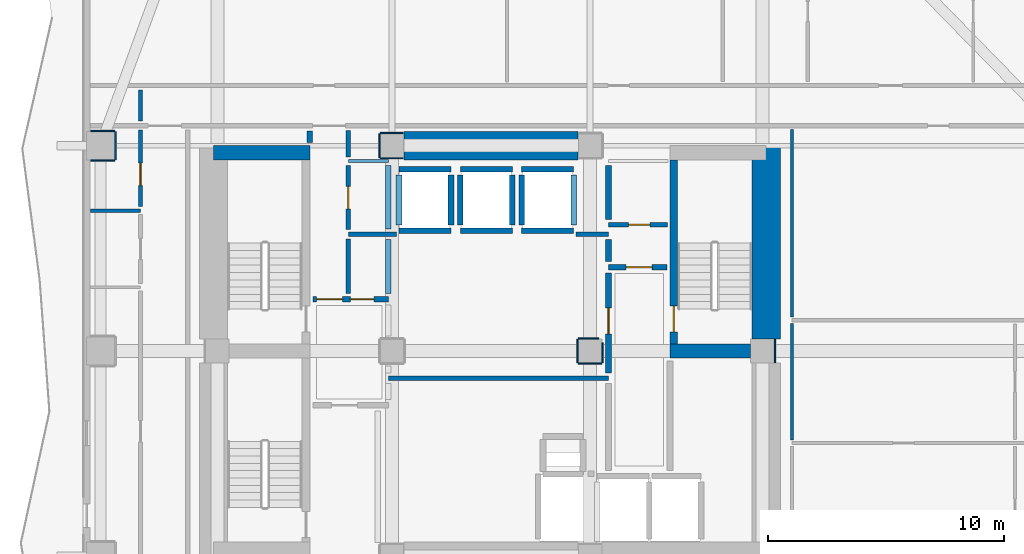
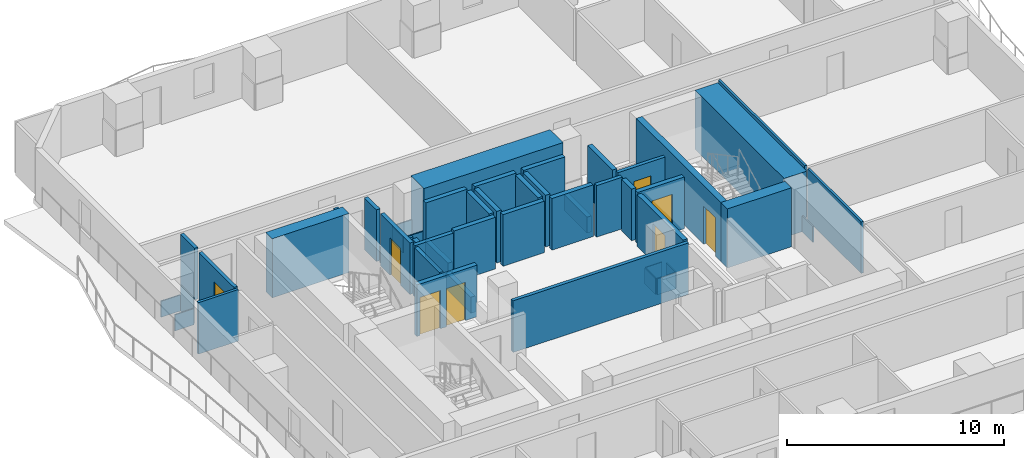
# One storey, part 4 of 10: 49 walls, 8 doors, 8 openings.
"""IFC4 building model written with IfcOpenShell, lengths in metres."""

from ifc_helpers import new_model, si_unit, direction, frame, frame_2d, origin, place, context, subcontext, project, spatial, rectangle, extrude, material, layer, layer_set, type_object, element, fill, save


model = new_model("IFC4")

# Units and contexts
model_context = context("Model", 3, precision=1e-05, world=origin(), true_north=direction((0.0, 1.0)))
body_context = subcontext(model_context, "Body", "Model", "MODEL_VIEW")
ifc_project = project(units=[si_unit("LENGTHUNIT", "METRE"), si_unit("AREAUNIT", "SQUARE_METRE"), si_unit("VOLUMEUNIT", "CUBIC_METRE"), si_unit("PLANEANGLEUNIT", "RADIAN"), si_unit("MASSUNIT", "GRAM", prefix="KILO")], contexts=[model_context])

# Site, building, storey
site_placement = place(None, origin())
site = spatial("IfcSite", under=ifc_project, at=site_placement, CompositionType="ELEMENT")
building_placement = place(site_placement, origin())
building = spatial("IfcBuilding", under=site, at=building_placement, Name="Solanera Arch Residences", CompositionType="ELEMENT")
storey_placement = place(building_placement, frame((0.0, 0.0, 78.43994140625)))
storey = spatial("IfcBuildingStorey", under=building, at=storey_placement, Name="L22", CompositionType="ELEMENT", Elevation=78.43994140625)

# Walls
ifc_material_1 = material(Name="Fire-Rated Gypsum Stud Partition", Category="gypsum")
ifc_layer_1 = layer(ifc_material_1, 0.06005859375)
ifc_layer_set_1 = layer_set([ifc_layer_1], Name="Fire-Rated Gypsum Stud Partition")
wall_type_1 = type_object("IfcWallType", Name="Column Acoustic Furring Wall 60", PredefinedType="PARTITIONING", material=ifc_layer_set_1)
for number, where, z_axis, x_axis, name in (
    (1, (20.300048828125, 38.867919921875, 0.0), (0.0, 0.0, 1.0), (1.0, 0.0, 0.0), "L22 Column Furring 3S"),
    (2, (20.300048828125, 39.931884765625, 0.0), (0.0, 0.0, 1.0), (1.0, 0.0, 0.0), "L22 Column Furring 3N"),
):
    element("IfcWall", number, at=place(storey_placement, frame(where, z_axis=z_axis, x_axis=x_axis)), inside=storey, type_object=wall_type_1, Name=name, PredefinedType="PARTITIONING", context=body_context, shape_type="SweptSolid", body=[
        extrude(rectangle(XDim=0.989990234375, YDim=0.06005859375, at=frame_2d((0.4951171875, 0.0))), origin(), (0.0, 0.0, 1.0), 0.905029296875),
    ])
wall_1_placement = place(storey_placement, frame((20.26806640625, 38.89990234375, 0.0), z_axis=(0.0, 0.0, 1.0), x_axis=(0.0, 1.0, 0.0)))
element("IfcWall", 3, at=wall_1_placement, inside=storey, type_object=wall_type_1, Name="L22 Column Furring 3W", PredefinedType="PARTITIONING", context=body_context, shape_type="SweptSolid", body=[
    extrude(rectangle(XDim=1.0, YDim=0.06005859375, at=frame_2d((0.5, 0.0))), origin(), (0.0, 0.0, 1.0), 0.905029296875),
])
wall_2_placement = place(storey_placement, frame((37.031982421875, 30.2099609375, 0.0), z_axis=(0.0, 0.0, 1.0), x_axis=(0.0, 1.0, 0.0)))
element("IfcWall", 4, at=wall_2_placement, inside=storey, type_object=wall_type_1, Name="L22 Column Furring 6E", PredefinedType="PARTITIONING", context=body_context, shape_type="SweptSolid", body=[
    extrude(rectangle(XDim=0.97998046875, YDim=0.06005859375, at=frame_2d((0.489990234375, 0.0))), origin(), (0.0, 0.0, 1.0), 0.905029296875),
])
wall_3_placement = place(storey_placement, frame((28.699951171875, 30.16796875, 0.0), z_axis=(0.0, 0.0, 1.0), x_axis=(1.0, 0.0, 0.0)))
element("IfcWall", 5, at=wall_3_placement, inside=storey, type_object=wall_type_1, Name="L22 Column Furring 8S", PredefinedType="PARTITIONING", context=body_context, shape_type="SweptSolid", body=[
    extrude(rectangle(XDim=1.0, YDim=0.06005859375, at=frame_2d((0.5, 0.0))), origin(), (0.0, 0.0, 1.0), 0.905029296875),
])
wall_4_placement = place(storey_placement, frame((28.699951171875, 31.23193359375, 0.0), z_axis=(0.0, 0.0, 1.0), x_axis=(1.0, 0.0, 0.0)))
element("IfcWall", 6, at=wall_4_placement, inside=storey, type_object=wall_type_1, Name="L22 Column Furring 8N", PredefinedType="PARTITIONING", context=body_context, shape_type="SweptSolid", body=[
    extrude(rectangle(XDim=0.87109375, YDim=0.06005859375, at=frame_2d((0.435546875, 0.0))), origin(), (0.0, 0.0, 1.0), 0.905029296875),
])
wall_5_placement = place(storey_placement, frame((28.66796875, 30.199951171875, 0.0), z_axis=(0.0, 0.0, 1.0), x_axis=(0.0, 1.0, 0.0)))
element("IfcWall", 7, at=wall_5_placement, inside=storey, type_object=wall_type_1, Name="L22 Column Furring 8W", PredefinedType="PARTITIONING", context=body_context, shape_type="SweptSolid", body=[
    extrude(rectangle(XDim=1.0, YDim=0.06005859375, at=frame_2d((0.5, 0.0))), origin(), (0.0, 0.0, 1.0), 0.905029296875),
])
wall_6_placement = place(storey_placement, frame((29.73193359375, 30.199951171875, 0.0), z_axis=(0.0, 0.0, 1.0), x_axis=(0.0, 1.0, 0.0)))
element("IfcWall", 8, at=wall_6_placement, inside=storey, type_object=wall_type_1, Name="L22 Column Furring 8E", PredefinedType="PARTITIONING", context=body_context, shape_type="SweptSolid", body=[
    extrude(rectangle(XDim=0.85205078125, YDim=0.06005859375, at=frame_2d((0.426025390625, 0.0))), origin(), (0.0, 0.0, 1.0), 0.905029296875),
])
for number, where, z_axis, x_axis, name in (
    (9, (8.030029296875, 38.76806640625, 0.0), (0.0, 0.0, 1.0), (1.0, 0.0, 0.0), "L22 Column Furring 21S"),
    (10, (8.030029296875, 40.031982421875, 0.0), (0.0, 0.0, 1.0), (1.0, 0.0, 0.0), "L22 Column Furring 21N"),
):
    element("IfcWall", number, at=place(storey_placement, frame(where, z_axis=z_axis, x_axis=x_axis)), inside=storey, type_object=wall_type_1, Name=name, PredefinedType="PARTITIONING", context=body_context, shape_type="SweptSolid", body=[
        extrude(rectangle(XDim=1.02001953125, YDim=0.06005859375, at=frame_2d((0.510009765625, 0.0))), origin(), (0.0, 0.0, 1.0), 0.905029296875),
    ])
wall_7_placement = place(storey_placement, frame((9.08203125, 38.800048828125, 0.0), z_axis=(0.0, 0.0, 1.0), x_axis=(0.0, 1.0, 0.0)))
element("IfcWall", 11, at=wall_7_placement, inside=storey, type_object=wall_type_1, Name="L22 Column Furring 21E", PredefinedType="PARTITIONING", context=body_context, shape_type="SweptSolid", body=[
    extrude(rectangle(XDim=1.199951171875, YDim=0.06005859375, at=frame_2d((0.60009765625, 0.0))), origin(), (0.0, 0.0, 1.0), 1.449951171875),
])
ifc_material_2 = material(Name="Concrete C55/67 (f'c = 60 MPa)", Category="concrete")
ifc_layer_2 = layer(ifc_material_2, 1.199951171875)
ifc_layer_set_2 = layer_set([ifc_layer_2], Name="Concrete C55/67 (f'c = 60 MPa)")
wall_type_2 = type_object("IfcWallType", Name="Core Shear Wall CW-1200", PredefinedType="SHEAR", material=ifc_layer_set_2)
wall_8_placement = place(storey_placement, frame((36.659912109375, 31.205078125, 0.0), z_axis=(0.0, 0.0, 1.0), x_axis=(0.0, 1.0, 0.0)))
element("IfcWall", 12, at=wall_8_placement, inside=storey, type_object=wall_type_2, Name="L22 East Core North Shear Wall", PredefinedType="SHEAR", context=body_context, shape_type="SweptSolid", body=[
    extrude(rectangle(XDim=8.19482421875, YDim=1.199951171875, at=frame_2d((4.097412109375, 0.0))), origin(), (0.0, 0.0, 1.0), 3.320068359375),
])
wall_9_placement = place(storey_placement, frame((21.304931640625, 39.39990234375, 0.0), z_axis=(0.0, 0.0, 1.0), x_axis=(1.0, 0.0, 0.0)))
element("IfcWall", 13, at=wall_9_placement, inside=storey, type_object=wall_type_2, Name="L22 Central North Core Shear Wall", PredefinedType="SHEAR", context=body_context, shape_type="SweptSolid", body=[
    extrude(rectangle(XDim=7.39013671875, YDim=1.199951171875, at=frame_2d((3.695068359375, 0.0))), origin(), (0.0, 0.0, 1.0), 3.320068359375),
])

# Wall, opening, door
ifc_material_3 = material(Name="Concrete C40/50 (f'c = 45 MPa)", Category="concrete")
ifc_layer_3 = layer(ifc_material_3, 0.320068359375)
ifc_layer_set_3 = layer_set([ifc_layer_3], Name="Concrete C40/50 (f'c = 45 MPa)")
wall_type_3 = type_object("IfcWallType", Name="Core Shear Wall CW-320", PredefinedType="SHEAR", material=ifc_layer_set_3)
wall_10_placement = place(storey_placement, frame((32.739990234375, 31.0, 0.0), z_axis=(0.0, 0.0, 1.0), x_axis=(0.0, 1.0, 0.0)))
wall_10 = element("IfcWall", 14, at=wall_10_placement, inside=storey, type_object=wall_type_3, Name="L22 Stair ST-T2 West Shear Wall", PredefinedType="SHEAR", context=body_context, shape_type="SweptSolid", body=[
    extrude(rectangle(XDim=7.800048828125, YDim=0.320068359375, at=frame_2d((3.89990234375, 0.0))), origin(), (0.0, 0.0, 1.0), 3.320068359375),
])
opening_1_placement = place(wall_10_placement, frame((0.510009765625, 0.0, 0.0)))
opening_1 = element("IfcOpeningElement", 15, at=opening_1_placement, cuts=wall_10, Name="Opening DF-01", PredefinedType="OPENING", context=body_context, shape_type="SweptSolid", body=[
    extrude(rectangle(XDim=1.10009765625, YDim=2.14990234375, at=frame_2d((0.550048828125, 1.074951171875))), frame((0.0, 0.169921875, 0.0), z_axis=(0.0, -1.0, 0.0), x_axis=(1.0, 0.0, 0.0)), (0.0, 0.0, 1.0), 0.3401),
])
ifc_material_4 = material(Name="Fire-Rated Architectural Hardwood", Category="wood")
door_type_1 = type_object("IfcDoorType", Name="Stair Exit Fire Door DF-01", OperationType="NOTDEFINED", PredefinedType="DOOR", material=ifc_material_4)
door_1_placement = place(opening_1_placement, origin())
door_1 = element("IfcDoor", 16, at=door_1_placement, inside=storey, type_object=door_type_1, Name="DR-L22-STAIR-ST-T2", OperationType="SINGLE_SWING_RIGHT", OverallHeight=2.14990234375, OverallWidth=1.10009765625, PredefinedType="DOOR", context=body_context, shape_type="SweptSolid", body=[
    extrude(rectangle(XDim=1.10009765625, YDim=2.14990234375, at=frame_2d((0.550048828125, 1.074951171875))), frame((0.0, 0.02490234375, 0.0), z_axis=(0.0, -1.0, 0.0), x_axis=(1.0, 0.0, 0.0)), (0.0, 0.0, 1.0), 0.050048828125),
])
fill(opening_1, door_1)

# Walls
ifc_material_5 = material(Name="Concrete C40/50 (f'c = 45 MPa)", Category="concrete")
ifc_layer_4 = layer(ifc_material_5, 0.60009765625)
ifc_layer_set_4 = layer_set([ifc_layer_4], Name="Concrete C40/50 (f'c = 45 MPa)")
wall_type_4 = type_object("IfcWallType", Name="Core Shear Wall CW-600", PredefinedType="SHEAR", material=ifc_layer_set_4)
wall_11_placement = place(storey_placement, frame((13.239990234375, 39.10009765625, 0.0), z_axis=(0.0, 0.0, 1.0), x_axis=(1.0, 0.0, 0.0)))
element("IfcWall", 17, at=wall_11_placement, inside=storey, type_object=wall_type_4, Name="L22 North-West Core Shear Wall", PredefinedType="SHEAR", context=body_context, shape_type="SweptSolid", body=[
    extrude(rectangle(XDim=4.080078125, YDim=0.60009765625, at=frame_2d((2.0400390625, 0.0))), origin(), (0.0, 0.0, 1.0), 3.320068359375),
])
wall_12_placement = place(storey_placement, frame((32.580078125, 30.699951171875, 0.0), z_axis=(0.0, 0.0, 1.0), x_axis=(1.0, 0.0, 0.0)))
element("IfcWall", 18, at=wall_12_placement, inside=storey, type_object=wall_type_4, Name="L22 East Stair Far-Landing Shear Wall", PredefinedType="SHEAR", context=body_context, shape_type="SweptSolid", body=[
    extrude(rectangle(XDim=3.4150390625, YDim=0.60009765625, at=frame_2d((1.70751953125, 0.0))), origin(), (0.0, 0.0, 1.0), 3.320068359375),
])
ifc_material_6 = material(Name="Autoclaved Aerated Concrete Blockwork", Category="masonry")
ifc_layer_5 = layer(ifc_material_6, 0.179931640625)
ifc_layer_set_5 = layer_set([ifc_layer_5], Name="Autoclaved Aerated Concrete Blockwork")
wall_type_5 = type_object("IfcWallType", Name="Corridor Fire Partition 180", PredefinedType="PARTITIONING", material=ifc_layer_set_5)
wall_13_placement = place(storey_placement, frame((20.64990234375, 29.550048828125, 0.0), z_axis=(0.0, 0.0, 1.0), x_axis=(1.0, 0.0, 0.0)))
element("IfcWall", 19, at=wall_13_placement, inside=storey, type_object=wall_type_5, Name="L22 Interior Partition H8", PredefinedType="PARTITIONING", context=body_context, shape_type="SweptSolid", body=[
    extrude(rectangle(XDim=9.3251953125, YDim=0.179931640625, at=frame_2d((4.66259765625, 0.0))), origin(), (0.0, 0.0, 1.0), 2.900146484375),
])

# Wall, opening, door
wall_14_placement = place(storey_placement, frame((29.97509765625, 36.050048828125, 0.0), z_axis=(0.0, 0.0, 1.0), x_axis=(1.0, 0.0, 0.0)))
wall_14 = element("IfcWall", 20, at=wall_14_placement, inside=storey, type_object=wall_type_5, Name="L22 Interior Partition H9", PredefinedType="PARTITIONING", context=body_context, shape_type="SweptSolid", body=[
    extrude(rectangle(XDim=2.5048828125, YDim=0.179931640625, at=frame_2d((1.25244140625, 0.0))), origin(), (0.0, 0.0, 1.0), 2.900146484375),
])
opening_2_placement = place(wall_14_placement, frame((0.85205078125, 0.0, 0.0)))
opening_2 = element("IfcOpeningElement", 21, at=opening_2_placement, cuts=wall_14, Name="Opening DI-02", PredefinedType="OPENING", context=body_context, shape_type="SweptSolid", body=[
    extrude(rectangle(XDim=0.89990234375, YDim=2.10009765625, at=frame_2d((0.449951171875, 1.050048828125))), frame((0.0, 0.10009765625, 0.0), z_axis=(0.0, -1.0, 0.0), x_axis=(1.0, 0.0, 0.0)), (0.0, 0.0, 1.0), 0.1999),
])
ifc_material_7 = material(Name="Fire-Rated Architectural Hardwood", Category="wood")
door_type_2 = type_object("IfcDoorType", Name="Suite Room Swing Door DI-02", OperationType="NOTDEFINED", PredefinedType="DOOR", material=ifc_material_7)
door_2_placement = place(opening_2_placement, origin())
door_2 = element("IfcDoor", 22, at=door_2_placement, inside=storey, type_object=door_type_2, Name="DR-L22-IN-013", OperationType="SINGLE_SWING_LEFT", OverallHeight=2.10009765625, OverallWidth=0.89990234375, PredefinedType="DOOR", context=body_context, shape_type="SweptSolid", body=[
    extrude(rectangle(XDim=0.89990234375, YDim=2.10009765625, at=frame_2d((0.449951171875, 1.050048828125))), frame((0.0, 0.02490234375, 0.0), z_axis=(0.0, -1.0, 0.0), x_axis=(1.0, 0.0, 0.0)), (0.0, 0.0, 1.0), 0.050048828125),
])
fill(opening_2, door_2)

wall_15_placement = place(storey_placement, frame((10.14990234375, 36.818115234375, 0.0), z_axis=(0.0, 0.0, 1.0), x_axis=(0.0, 1.0, 0.0)))
wall_15 = element("IfcWall", 23, at=wall_15_placement, inside=storey, type_object=wall_type_5, Name="L22 Interior Partition V7 4", PredefinedType="PARTITIONING", context=body_context, shape_type="SweptSolid", body=[
    extrude(rectangle(XDim=3.243896484375, YDim=0.179931640625, at=frame_2d((1.6220703125, 0.0))), origin(), (0.0, 0.0, 1.0), 2.900146484375),
])
opening_3_placement = place(wall_15_placement, frame((0.89306640625, 0.0, 0.0)))
opening_3 = element("IfcOpeningElement", 24, at=opening_3_placement, cuts=wall_15, Name="Opening DI-04", PredefinedType="OPENING", context=body_context, shape_type="SweptSolid", body=[
    extrude(rectangle(XDim=0.949951171875, YDim=2.10009765625, at=frame_2d((0.47509765625, 1.050048828125))), frame((0.0, 0.10009765625, 0.0), z_axis=(0.0, -1.0, 0.0), x_axis=(1.0, 0.0, 0.0)), (0.0, 0.0, 1.0), 0.1999),
])
ifc_material_8 = material(Name="Fire-Rated Architectural Hardwood", Category="wood")
door_type_3 = type_object("IfcDoorType", Name="Accessible Restroom Door DI-04", OperationType="NOTDEFINED", PredefinedType="DOOR", material=ifc_material_8)
door_3_placement = place(opening_3_placement, origin())
door_3 = element("IfcDoor", 25, at=door_3_placement, inside=storey, type_object=door_type_3, Name="DR-L22-IN-032", OperationType="SINGLE_SWING_RIGHT", OverallHeight=2.10009765625, OverallWidth=0.949951171875, PredefinedType="DOOR", context=body_context, shape_type="SweptSolid", body=[
    extrude(rectangle(XDim=0.949951171875, YDim=2.10009765625, at=frame_2d((0.47509765625, 1.050048828125))), frame((0.0, 0.02490234375, 0.0), z_axis=(0.0, -1.0, 0.0), x_axis=(1.0, 0.0, 0.0)), (0.0, 0.0, 1.0), 0.050048828125),
])
fill(opening_3, door_3)

# Walls
wall_16_placement = place(storey_placement, frame((10.14990234375, 40.43798828125, 0.0), z_axis=(0.0, 0.0, 1.0), x_axis=(0.0, 1.0, 0.0)))
element("IfcWall", 26, at=wall_16_placement, inside=storey, type_object=wall_type_5, Name="L22 Interior Partition V7 5", PredefinedType="PARTITIONING", context=body_context, shape_type="SweptSolid", body=[
    extrude(rectangle(XDim=1.323974609375, YDim=0.179931640625, at=frame_2d((0.662109375, 0.0))), origin(), (0.0, 0.0, 1.0), 2.900146484375),
])
ifc_material_9 = material(Name="Autoclaved Aerated Concrete Blockwork", Category="masonry")
ifc_layer_6 = layer(ifc_material_9, 0.199951171875)
ifc_layer_set_6 = layer_set([ifc_layer_6], Name="Autoclaved Aerated Concrete Blockwork")
wall_type_6 = type_object("IfcWallType", Name="Party Wall Acoustic 200", PredefinedType="PARTITIONING", material=ifc_layer_set_6)
wall_17_placement = place(storey_placement, frame((18.949951171875, 35.64990234375, 0.0), z_axis=(0.0, 0.0, 1.0), x_axis=(1.0, 0.0, 0.0)))
element("IfcWall", 27, at=wall_17_placement, inside=storey, type_object=wall_type_6, Name="L22 Interior Partition H6 1", PredefinedType="PARTITIONING", context=body_context, shape_type="SweptSolid", body=[
    extrude(rectangle(XDim=2.046142578125, YDim=0.199951171875, at=frame_2d((1.02294921875, 0.0))), origin(), (0.0, 0.0, 1.0), 2.900146484375),
])
wall_18_placement = place(storey_placement, frame((28.60400390625, 35.64990234375, 0.0), z_axis=(0.0, 0.0, 1.0), x_axis=(1.0, 0.0, 0.0)))
element("IfcWall", 28, at=wall_18_placement, inside=storey, type_object=wall_type_6, Name="L22 Interior Partition H6 2", PredefinedType="PARTITIONING", context=body_context, shape_type="SweptSolid", body=[
    extrude(rectangle(XDim=1.37109375, YDim=0.199951171875, at=frame_2d((0.685546875, 0.0))), origin(), (0.0, 0.0, 1.0), 2.900146484375),
])
wall_19_placement = place(storey_placement, frame((18.949951171875, 33.1279296875, 0.0), z_axis=(0.0, 0.0, 1.0), x_axis=(0.0, 1.0, 0.0)))
element("IfcWall", 29, at=wall_19_placement, inside=storey, type_object=wall_type_6, Name="L22 Interior Partition V6 1", PredefinedType="PARTITIONING", context=body_context, shape_type="SweptSolid", body=[
    extrude(rectangle(XDim=2.31396484375, YDim=0.199951171875, at=frame_2d((1.156982421875, 0.0))), origin(), (0.0, 0.0, 1.0), 2.900146484375),
])

# Wall, opening, door
wall_20_placement = place(storey_placement, frame((18.949951171875, 35.85791015625, 0.0), z_axis=(0.0, 0.0, 1.0), x_axis=(0.0, 1.0, 0.0)))
wall_20 = element("IfcWall", 30, at=wall_20_placement, inside=storey, type_object=wall_type_6, Name="L22 Interior Partition V6 2", PredefinedType="PARTITIONING", context=body_context, shape_type="SweptSolid", body=[
    extrude(rectangle(XDim=2.714111328125, YDim=0.199951171875, at=frame_2d((1.35693359375, 0.0))), origin(), (0.0, 0.0, 1.0), 2.900146484375),
])
opening_4_placement = place(wall_20_placement, frame((0.866943359375, 0.0, 0.0)))
opening_4 = element("IfcOpeningElement", 31, at=opening_4_placement, cuts=wall_20, Name="Opening DI-04", PredefinedType="OPENING", context=body_context, shape_type="SweptSolid", body=[
    extrude(rectangle(XDim=0.949951171875, YDim=2.10009765625, at=frame_2d((0.47509765625, 1.050048828125))), frame((0.0, 0.110107421875, 0.0), z_axis=(0.0, -1.0, 0.0), x_axis=(1.0, 0.0, 0.0)), (0.0, 0.0, 1.0), 0.22),
])
door_4_placement = place(opening_4_placement, origin())
door_4 = element("IfcDoor", 32, at=door_4_placement, inside=storey, type_object=door_type_3, Name="DR-L22-IN-014", OperationType="SINGLE_SWING_RIGHT", OverallHeight=2.10009765625, OverallWidth=0.949951171875, PredefinedType="DOOR", context=body_context, shape_type="SweptSolid", body=[
    extrude(rectangle(XDim=0.949951171875, YDim=2.10009765625, at=frame_2d((0.47509765625, 1.050048828125))), frame((0.0, 0.02490234375, 0.0), z_axis=(0.0, -1.0, 0.0), x_axis=(1.0, 0.0, 0.0)), (0.0, 0.0, 1.0), 0.050048828125),
])
fill(opening_4, door_4)

# Walls
wall_21_placement = place(storey_placement, frame((18.949951171875, 38.927978515625, 0.0), z_axis=(0.0, 0.0, 1.0), x_axis=(0.0, 1.0, 0.0)))
element("IfcWall", 33, at=wall_21_placement, inside=storey, type_object=wall_type_6, Name="L22 Interior Partition V6 3", PredefinedType="PARTITIONING", context=body_context, shape_type="SweptSolid", body=[
    extrude(rectangle(XDim=1.1240234375, YDim=0.199951171875, at=frame_2d((0.56201171875, 0.0))), origin(), (0.0, 0.0, 1.0), 2.900146484375),
])
ifc_material_10 = material(Name="Autoclaved Aerated Concrete Blockwork", Category="masonry")
ifc_layer_7 = layer(ifc_material_10, 0.239990234375)
ifc_layer_set_7 = layer_set([ifc_layer_7], Name="Autoclaved Aerated Concrete Blockwork")
wall_type_7 = type_object("IfcWallType", Name="Shaft Wall Fire-Rated 240", PredefinedType="PARTITIONING", material=ifc_layer_set_7)
for number, where, z_axis, x_axis, name in (
    (34, (21.10009765625, 35.800048828125, 0.0), (0.0, 0.0, 1.0), (1.0, 0.0, 0.0), "L22 Lift PL-L1 Hoistway Wall S"),
    (35, (21.10009765625, 38.39990234375, 0.0), (0.0, 0.0, 1.0), (1.0, 0.0, 0.0), "L22 Lift PL-L1 Hoistway Wall N"),
):
    element("IfcWall", number, at=place(storey_placement, frame(where, z_axis=z_axis, x_axis=x_axis)), inside=storey, type_object=wall_type_7, Name=name, PredefinedType="PARTITIONING", context=body_context, shape_type="SweptSolid", body=[
        extrude(rectangle(XDim=2.199951171875, YDim=0.239990234375, at=frame_2d((1.10009765625, 0.0))), origin(), (0.0, 0.0, 1.0), 2.900146484375),
    ])
wall_22_placement = place(storey_placement, frame((21.10009765625, 36.048095703125, 0.0), z_axis=(0.0, 0.0, 1.0), x_axis=(0.0, 1.0, 0.0)))
element("IfcWall", 36, at=wall_22_placement, inside=storey, type_object=wall_type_7, Name="L22 Lift PL-L1 Hoistway Wall W", PredefinedType="PARTITIONING", context=body_context, shape_type="SweptSolid", body=[
    extrude(rectangle(XDim=2.10400390625, YDim=0.239990234375, at=frame_2d((1.052001953125, 0.0))), origin(), (0.0, 0.0, 1.0), 0.905029296875),
])
wall_23_placement = place(storey_placement, frame((23.300048828125, 36.048095703125, 0.0), z_axis=(0.0, 0.0, 1.0), x_axis=(0.0, 1.0, 0.0)))
element("IfcWall", 37, at=wall_23_placement, inside=storey, type_object=wall_type_7, Name="L22 Lift PL-L1 Hoistway Wall E", PredefinedType="PARTITIONING", context=body_context, shape_type="SweptSolid", body=[
    extrude(rectangle(XDim=2.10400390625, YDim=0.239990234375, at=frame_2d((1.052001953125, 0.0))), origin(), (0.0, 0.0, 1.0), 2.900146484375),
])
for number, where, z_axis, x_axis, name in (
    (38, (23.699951171875, 35.800048828125, 0.0), (0.0, 0.0, 1.0), (1.0, 0.0, 0.0), "L22 Lift PL-L2 Hoistway Wall S"),
    (39, (23.699951171875, 38.39990234375, 0.0), (0.0, 0.0, 1.0), (1.0, 0.0, 0.0), "L22 Lift PL-L2 Hoistway Wall N"),
):
    element("IfcWall", number, at=place(storey_placement, frame(where, z_axis=z_axis, x_axis=x_axis)), inside=storey, type_object=wall_type_7, Name=name, PredefinedType="PARTITIONING", context=body_context, shape_type="SweptSolid", body=[
        extrude(rectangle(XDim=2.199951171875, YDim=0.239990234375, at=frame_2d((1.10009765625, 0.0))), origin(), (0.0, 0.0, 1.0), 2.900146484375),
    ])
for number, where, z_axis, x_axis, name in (
    (40, (23.699951171875, 36.048095703125, 0.0), (0.0, 0.0, 1.0), (0.0, 1.0, 0.0), "L22 Lift PL-L2 Hoistway Wall W"),
    (41, (25.89990234375, 36.048095703125, 0.0), (0.0, 0.0, 1.0), (0.0, 1.0, 0.0), "L22 Lift PL-L2 Hoistway Wall E"),
):
    element("IfcWall", number, at=place(storey_placement, frame(where, z_axis=z_axis, x_axis=x_axis)), inside=storey, type_object=wall_type_7, Name=name, PredefinedType="PARTITIONING", context=body_context, shape_type="SweptSolid", body=[
        extrude(rectangle(XDim=2.10400390625, YDim=0.239990234375, at=frame_2d((1.052001953125, 0.0))), origin(), (0.0, 0.0, 1.0), 2.900146484375),
    ])
for number, where, z_axis, x_axis, name in (
    (42, (26.300048828125, 35.800048828125, 0.0), (0.0, 0.0, 1.0), (1.0, 0.0, 0.0), "L22 Lift PL-L3 Hoistway Wall S"),
    (43, (26.300048828125, 38.39990234375, 0.0), (0.0, 0.0, 1.0), (1.0, 0.0, 0.0), "L22 Lift PL-L3 Hoistway Wall N"),
):
    element("IfcWall", number, at=place(storey_placement, frame(where, z_axis=z_axis, x_axis=x_axis)), inside=storey, type_object=wall_type_7, Name=name, PredefinedType="PARTITIONING", context=body_context, shape_type="SweptSolid", body=[
        extrude(rectangle(XDim=2.199951171875, YDim=0.239990234375, at=frame_2d((1.10009765625, 0.0))), origin(), (0.0, 0.0, 1.0), 2.900146484375),
    ])
wall_24_placement = place(storey_placement, frame((26.300048828125, 36.048095703125, 0.0), z_axis=(0.0, 0.0, 1.0), x_axis=(0.0, 1.0, 0.0)))
element("IfcWall", 44, at=wall_24_placement, inside=storey, type_object=wall_type_7, Name="L22 Lift PL-L3 Hoistway Wall W", PredefinedType="PARTITIONING", context=body_context, shape_type="SweptSolid", body=[
    extrude(rectangle(XDim=2.10400390625, YDim=0.239990234375, at=frame_2d((1.052001953125, 0.0))), origin(), (0.0, 0.0, 1.0), 2.900146484375),
])
wall_25_placement = place(storey_placement, frame((28.5, 36.048095703125, 0.0), z_axis=(0.0, 0.0, 1.0), x_axis=(0.0, 1.0, 0.0)))
element("IfcWall", 45, at=wall_25_placement, inside=storey, type_object=wall_type_7, Name="L22 Lift PL-L3 Hoistway Wall E", PredefinedType="PARTITIONING", context=body_context, shape_type="SweptSolid", body=[
    extrude(rectangle(XDim=2.10400390625, YDim=0.239990234375, at=frame_2d((1.052001953125, 0.0))), origin(), (0.0, 0.0, 1.0), 0.905029296875),
])

# Wall, openings, doors
wall_26_placement = place(storey_placement, frame((17.449951171875, 32.89990234375, 0.0), z_axis=(0.0, 0.0, 1.0), x_axis=(1.0, 0.0, 0.0)))
wall_26 = element("IfcWall", 46, at=wall_26_placement, inside=storey, type_object=wall_type_7, Name="L22 Interior Partition H4", PredefinedType="PARTITIONING", context=body_context, shape_type="SweptSolid", body=[
    extrude(rectangle(XDim=3.199951171875, YDim=0.239990234375, at=frame_2d((1.60009765625, 0.0))), origin(), (0.0, 0.0, 1.0), 2.900146484375),
])
opening_5_placement = place(wall_26_placement, frame((0.158935546875, 0.0, 0.0)))
opening_5 = element("IfcOpeningElement", 47, at=opening_5_placement, cuts=wall_26, Name="Opening DF-02", PredefinedType="OPENING", context=body_context, shape_type="SweptSolid", body=[
    extrude(rectangle(XDim=1.10009765625, YDim=2.14990234375, at=frame_2d((0.550048828125, 1.074951171875))), frame((0.0, 0.1298828125, 0.0), z_axis=(0.0, -1.0, 0.0), x_axis=(1.0, 0.0, 0.0)), (0.0, 0.0, 1.0), 0.26),
])
opening_6_placement = place(wall_26_placement, frame((1.5859375, 0.0, 0.0)))
opening_6 = element("IfcOpeningElement", 48, at=opening_6_placement, cuts=wall_26, Name="Opening DI-01", PredefinedType="OPENING", context=body_context, shape_type="SweptSolid", body=[
    extrude(rectangle(XDim=1.0, YDim=2.14990234375, at=frame_2d((0.5, 1.074951171875))), frame((0.0, 0.1298828125, 0.0), z_axis=(0.0, -1.0, 0.0), x_axis=(1.0, 0.0, 0.0)), (0.0, 0.0, 1.0), 0.26),
])
ifc_material_11 = material(Name="Fire-Rated Architectural Hardwood", Category="wood")
door_type_4 = type_object("IfcDoorType", Name="Firefighting Lobby Fire Door DF-02", OperationType="NOTDEFINED", PredefinedType="DOOR", material=ifc_material_11)
door_5_placement = place(opening_5_placement, origin())
door_5 = element("IfcDoor", 49, at=door_5_placement, inside=storey, type_object=door_type_4, Name="DR-L22-IN-005", OperationType="SINGLE_SWING_LEFT", OverallHeight=2.14990234375, OverallWidth=1.10009765625, PredefinedType="DOOR", context=body_context, shape_type="SweptSolid", body=[
    extrude(rectangle(XDim=1.10009765625, YDim=2.14990234375, at=frame_2d((0.550048828125, 1.074951171875))), frame((0.0, 0.02490234375, 0.0), z_axis=(0.0, -1.0, 0.0), x_axis=(1.0, 0.0, 0.0)), (0.0, 0.0, 1.0), 0.050048828125),
])
fill(opening_5, door_5)
ifc_material_12 = material(Name="Fire-Rated Architectural Hardwood", Category="wood")
door_type_5 = type_object("IfcDoorType", Name="Unit Entrance Fire Door DI-01", OperationType="NOTDEFINED", PredefinedType="DOOR", material=ifc_material_12)
door_6_placement = place(opening_6_placement, origin())
door_6 = element("IfcDoor", 50, at=door_6_placement, inside=storey, type_object=door_type_5, Name="DR-L22-IN-012", OperationType="SINGLE_SWING_RIGHT", OverallHeight=2.14990234375, OverallWidth=1.0, PredefinedType="DOOR", context=body_context, shape_type="SweptSolid", body=[
    extrude(rectangle(XDim=1.0, YDim=2.14990234375, at=frame_2d((0.5, 1.074951171875))), frame((0.0, 0.02490234375, 0.0), z_axis=(0.0, -1.0, 0.0), x_axis=(1.0, 0.0, 0.0)), (0.0, 0.0, 1.0), 0.050048828125),
])
fill(opening_6, door_6)

# Wall, opening, door
wall_27_placement = place(storey_placement, frame((29.97509765625, 34.25, 0.0), z_axis=(0.0, 0.0, 1.0), x_axis=(1.0, 0.0, 0.0)))
wall_27 = element("IfcWall", 51, at=wall_27_placement, inside=storey, type_object=wall_type_7, Name="L22 Interior Partition H5", PredefinedType="PARTITIONING", context=body_context, shape_type="SweptSolid", body=[
    extrude(rectangle(XDim=2.474853515625, YDim=0.239990234375, at=frame_2d((1.2373046875, 0.0))), origin(), (0.0, 0.0, 1.0), 2.900146484375),
])
opening_7_placement = place(wall_27_placement, frame((0.751953125, 0.0, 0.0)))
opening_7 = element("IfcOpeningElement", 52, at=opening_7_placement, cuts=wall_27, Name="Opening DF-02", PredefinedType="OPENING", context=body_context, shape_type="SweptSolid", body=[
    extrude(rectangle(XDim=1.10009765625, YDim=2.14990234375, at=frame_2d((0.550048828125, 1.074951171875))), frame((0.0, 0.1298828125, 0.0), z_axis=(0.0, -1.0, 0.0), x_axis=(1.0, 0.0, 0.0)), (0.0, 0.0, 1.0), 0.26),
])
door_7_placement = place(opening_7_placement, origin())
door_7 = element("IfcDoor", 53, at=door_7_placement, inside=storey, type_object=door_type_4, Name="DR-L22-IN-007", OperationType="SINGLE_SWING_LEFT", OverallHeight=2.14990234375, OverallWidth=1.10009765625, PredefinedType="DOOR", context=body_context, shape_type="SweptSolid", body=[
    extrude(rectangle(XDim=1.10009765625, YDim=2.14990234375, at=frame_2d((0.550048828125, 1.074951171875))), frame((0.0, 0.02490234375, 0.0), z_axis=(0.0, -1.0, 0.0), x_axis=(1.0, 0.0, 0.0)), (0.0, 0.0, 1.0), 0.050048828125),
])
fill(opening_7, door_7)

# Walls
wall_28_placement = place(storey_placement, frame((17.320068359375, 39.530029296875, 0.0), z_axis=(0.0, 0.0, 1.0), x_axis=(0.0, 1.0, 0.0)))
element("IfcWall", 54, at=wall_28_placement, inside=storey, type_object=wall_type_7, Name="L22 Interior Partition V1", PredefinedType="PARTITIONING", context=body_context, shape_type="SweptSolid", body=[
    extrude(rectangle(XDim=0.501953125, YDim=0.239990234375, at=frame_2d((0.2509765625, 0.0))), origin(), (0.0, 0.0, 1.0), 2.900146484375),
])
wall_29_placement = place(storey_placement, frame((20.64990234375, 33.14794921875, 0.0), z_axis=(0.0, 0.0, 1.0), x_axis=(0.0, 1.0, 0.0)))
element("IfcWall", 55, at=wall_29_placement, inside=storey, type_object=wall_type_7, Name="L22 Interior Partition V3 4", PredefinedType="PARTITIONING", context=body_context, shape_type="SweptSolid", body=[
    extrude(rectangle(XDim=2.274169921875, YDim=0.239990234375, at=frame_2d((1.13720703125, 0.0))), origin(), (0.0, 0.0, 1.0), 0.905029296875),
])
wall_30_placement = place(storey_placement, frame((20.64990234375, 35.8779296875, 0.0), z_axis=(0.0, 0.0, 1.0), x_axis=(0.0, 1.0, 0.0)))
element("IfcWall", 56, at=wall_30_placement, inside=storey, type_object=wall_type_7, Name="L22 Interior Partition V3 5", PredefinedType="PARTITIONING", context=body_context, shape_type="SweptSolid", body=[
    extrude(rectangle(XDim=2.674072265625, YDim=0.239990234375, at=frame_2d((1.3369140625, 0.0))), origin(), (0.0, 0.0, 1.0), 0.905029296875),
])

# Wall, opening, door
wall_31_placement = place(storey_placement, frame((29.97509765625, 29.76806640625, 0.0), z_axis=(0.0, 0.0, 1.0), x_axis=(0.0, 1.0, 0.0)))
wall_31 = element("IfcWall", 57, at=wall_31_placement, inside=storey, type_object=wall_type_7, Name="L22 Interior Partition V4 2", PredefinedType="PARTITIONING", context=body_context, shape_type="SweptSolid", body=[
    extrude(rectangle(XDim=4.23388671875, YDim=0.239990234375, at=frame_2d((2.116943359375, 0.0))), origin(), (0.0, 0.0, 1.0), 2.900146484375),
])
opening_8_placement = place(wall_31_placement, frame((1.662109375, 0.0, 0.0)))
opening_8 = element("IfcOpeningElement", 58, at=opening_8_placement, cuts=wall_31, Name="Opening DF-02", PredefinedType="OPENING", context=body_context, shape_type="SweptSolid", body=[
    extrude(rectangle(XDim=1.10009765625, YDim=2.14990234375, at=frame_2d((0.550048828125, 1.074951171875))), frame((0.0, 0.1298828125, 0.0), z_axis=(0.0, -1.0, 0.0), x_axis=(1.0, 0.0, 0.0)), (0.0, 0.0, 1.0), 0.26),
])
door_8_placement = place(opening_8_placement, origin())
door_8 = element("IfcDoor", 59, at=door_8_placement, inside=storey, type_object=door_type_4, Name="DR-L22-IN-006", OperationType="SINGLE_SWING_RIGHT", OverallHeight=2.14990234375, OverallWidth=1.10009765625, PredefinedType="DOOR", context=body_context, shape_type="SweptSolid", body=[
    extrude(rectangle(XDim=1.10009765625, YDim=2.14990234375, at=frame_2d((0.550048828125, 1.074951171875))), frame((0.0, 0.02490234375, 0.0), z_axis=(0.0, -1.0, 0.0), x_axis=(1.0, 0.0, 0.0)), (0.0, 0.0, 1.0), 0.050048828125),
])
fill(opening_8, door_8)

# Walls
wall_32_placement = place(storey_placement, frame((29.97509765625, 34.498046875, 0.0), z_axis=(0.0, 0.0, 1.0), x_axis=(0.0, 1.0, 0.0)))
element("IfcWall", 60, at=wall_32_placement, inside=storey, type_object=wall_type_7, Name="L22 Interior Partition V4 3", PredefinedType="PARTITIONING", context=body_context, shape_type="SweptSolid", body=[
    extrude(rectangle(XDim=0.924072265625, YDim=0.239990234375, at=frame_2d((0.4619140625, 0.0))), origin(), (0.0, 0.0, 1.0), 2.900146484375),
])
wall_33_placement = place(storey_placement, frame((29.97509765625, 36.26806640625, 0.0), z_axis=(0.0, 0.0, 1.0), x_axis=(0.0, 1.0, 0.0)))
element("IfcWall", 61, at=wall_33_placement, inside=storey, type_object=wall_type_7, Name="L22 Interior Partition V4 4", PredefinedType="PARTITIONING", context=body_context, shape_type="SweptSolid", body=[
    extrude(rectangle(XDim=2.283935546875, YDim=0.239990234375, at=frame_2d((1.14208984375, 0.0))), origin(), (0.0, 0.0, 1.0), 2.900146484375),
])
ifc_material_13 = material(Name="Fire-Rated Gypsum Stud Partition", Category="gypsum")
ifc_layer_8 = layer(ifc_material_13, 0.1201171875)
ifc_layer_set_8 = layer_set([ifc_layer_8], Name="Fire-Rated Gypsum Stud Partition")
wall_type_8 = type_object("IfcWallType", Name="Unit Drywall Partition 120", PredefinedType="PARTITIONING", material=ifc_layer_set_8)
wall_34_placement = place(storey_placement, frame((37.75, 26.93798828125, 0.0), z_axis=(0.0, 0.0, 1.0), x_axis=(0.0, 1.0, 0.0)))
element("IfcWall", 62, at=wall_34_placement, inside=storey, type_object=wall_type_8, Name="L22 Interior Partition V21 2", PredefinedType="PARTITIONING", context=body_context, shape_type="SweptSolid", body=[
    extrude(rectangle(XDim=4.924072265625, YDim=0.1201171875, at=frame_2d((2.4619140625, 0.0))), origin(), (0.0, 0.0, 1.0), 2.900146484375),
])
wall_35_placement = place(storey_placement, frame((37.75, 32.137939453125, 0.0), z_axis=(0.0, 0.0, 1.0), x_axis=(0.0, 1.0, 0.0)))
element("IfcWall", 63, at=wall_35_placement, inside=storey, type_object=wall_type_8, Name="L22 Interior Partition V21 3", PredefinedType="PARTITIONING", context=body_context, shape_type="SweptSolid", body=[
    extrude(rectangle(XDim=7.9541015625, YDim=0.1201171875, at=frame_2d((3.97705078125, 0.0))), origin(), (0.0, 0.0, 1.0), 2.900146484375),
])
ifc_material_14 = material(Name="Autoclaved Aerated Concrete Blockwork", Category="masonry")
ifc_layer_9 = layer(ifc_material_14, 0.139892578125)
ifc_layer_set_9 = layer_set([ifc_layer_9], Name="Autoclaved Aerated Concrete Blockwork")
wall_type_9 = type_object("IfcWallType", Name="Wet-Room Partition 140", PredefinedType="PARTITIONING", material=ifc_layer_set_9)
wall_36_placement = place(storey_placement, frame((8.027099609375, 36.64990234375, 0.0), z_axis=(0.0, 0.0, 1.0), x_axis=(1.0, 0.0, 0.0)))
element("IfcWall", 64, at=wall_36_placement, inside=storey, type_object=wall_type_9, Name="L22 Interior Partition H16", PredefinedType="PARTITIONING", context=body_context, shape_type="SweptSolid", body=[
    extrude(rectangle(XDim=2.122802734375, YDim=0.139892578125, at=frame_2d((1.0615234375, 0.0))), origin(), (0.0, 0.0, 1.0), 2.900146484375),
])
wall_37_placement = place(storey_placement, frame((18.949951171875, 38.75, 0.0), z_axis=(0.0, 0.0, 1.0), x_axis=(1.0, 0.0, 0.0)))
element("IfcWall", 65, at=wall_37_placement, inside=storey, type_object=wall_type_9, Name="L22 Interior Partition H17", PredefinedType="PARTITIONING", context=body_context, shape_type="SweptSolid", body=[
    extrude(rectangle(XDim=1.699951171875, YDim=0.139892578125, at=frame_2d((0.85009765625, 0.0))), origin(), (0.0, 0.0, 1.0), 0.905029296875),
])

save(model, "model.ifc")
